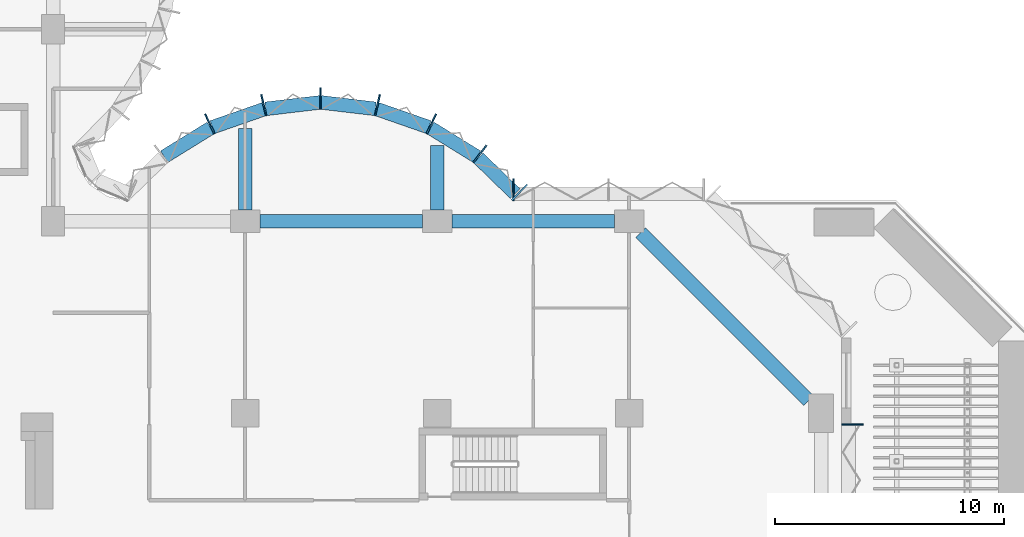
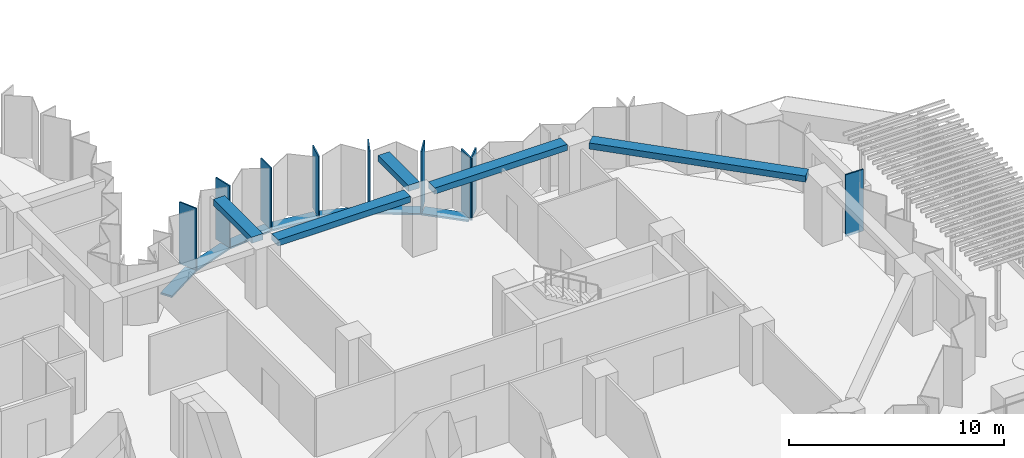
# One storey, part 3 of 18: 16 members, 5 beams, 3 elements without a shape of their own.
"""IFC4 building model written with IfcOpenShell, lengths in metres."""

from ifc_helpers import new_model, si_unit, direction, frame, origin, origin_2d, place, context, subcontext, project, spatial, rectangle, extrude, material, material_profile, profile_set, type_object, element, aggregate, save


model = new_model("IFC4")

# Units and contexts
model_context = context("Model", 3, precision=1e-05, world=origin(), true_north=direction((0.0, 1.0)))
body_context = subcontext(model_context, "Body", "Model", "MODEL_VIEW")
ifc_project = project(units=[si_unit("LENGTHUNIT", "METRE"), si_unit("AREAUNIT", "SQUARE_METRE"), si_unit("VOLUMEUNIT", "CUBIC_METRE"), si_unit("PLANEANGLEUNIT", "RADIAN"), si_unit("MASSUNIT", "GRAM", prefix="KILO")], contexts=[model_context])

# Site, building, storey
site_placement = place(None, origin())
site = spatial("IfcSite", under=ifc_project, at=site_placement, CompositionType="ELEMENT")
building_placement = place(site_placement, origin())
building = spatial("IfcBuilding", under=site, at=building_placement, Name="Brevane Broadcast Tower", CompositionType="ELEMENT")
storey_placement = place(building_placement, frame((0.0, 0.0, 134.89990234375)))
storey = spatial("IfcBuildingStorey", under=building, at=storey_placement, Name="L33", CompositionType="ELEMENT", Elevation=134.89990234375)

# Curtain wall, member
ifc_material_1 = material(Name="Aluminium 6063-T6 bronze anodised", Category="aluminium")
curtain_wall_type = type_object("IfcCurtainWallType", Name="CW-1 curtain wall", PredefinedType="NOTDEFINED", material=ifc_material_1)
curtain_wall_1_placement = place(storey_placement, origin())
curtain_wall_1 = element("IfcCurtainWall", 1, at=curtain_wall_1_placement, inside=storey, type_object=curtain_wall_type, Name="CW-1 typical tilted unit L33 east end", PredefinedType="NOTDEFINED")
ifc_material_profile_1 = material_profile(ifc_material_1, rectangle(XDim=0.949951171875, YDim=0.070068359375, at=origin_2d()), Name="RECT 70x950")
ifc_profile_set_1 = profile_set([ifc_material_profile_1], Name="Aluminium 6063-T6 bronze anodised")
member_type_1 = type_object("IfcMemberType", Name="CW-1 mullion 70x950", PredefinedType="MULLION", material=ifc_profile_set_1)
member_1_placement = place(storey_placement, frame((60.175048828125, 16.31494140625, -0.14990234375), z_axis=(0.0, 0.0, 1.0), x_axis=(-1.0, 0.0, 0.0)))
member_1 = element("IfcMember", 2, at=member_1_placement, type_object=member_type_1, Name="CW-1 mullion", PredefinedType="MULLION", context=body_context, shape_type="SweptSolid", body=[
    extrude(rectangle(XDim=0.949951171875, YDim=0.070068359375, at=origin_2d()), origin(), (0.0, 0.0, 1.0), 3.5),
])
aggregate(curtain_wall_1, [member_1])

curtain_wall_2_placement = place(storey_placement, origin())
curtain_wall_2 = element("IfcCurtainWall", 3, at=curtain_wall_2_placement, inside=storey, type_object=curtain_wall_type, Name="CW-1 typical tilted unit L33 east arm north face", PredefinedType="NOTDEFINED")
member_2_placement = place(storey_placement, frame((45.3349609375, 26.574951171875, -0.14990234375), z_axis=(0.0, 0.0, 1.0), x_axis=(0.0, -1.0, 0.0)))
member_2 = element("IfcMember", 4, at=member_2_placement, type_object=member_type_1, Name="CW-1 mullion", PredefinedType="MULLION", context=body_context, shape_type="SweptSolid", body=[
    extrude(rectangle(XDim=0.949951171875, YDim=0.070068359375, at=origin_2d()), origin(), (0.0, 0.0, 1.0), 3.5),
])
aggregate(curtain_wall_2, [member_2])

# Curtain wall, members
curtain_wall_3_placement = place(storey_placement, origin())
curtain_wall_3 = element("IfcCurtainWall", 5, at=curtain_wall_3_placement, inside=storey, type_object=curtain_wall_type, Name="CW-1 typical tilted unit L33 east bow", PredefinedType="NOTDEFINED")
member_3_placement = place(storey_placement, frame((45.60595703125, 26.465087890625, -0.14990234375), z_axis=(0.0, 0.0, 1.0), x_axis=(-0.696811941702, -0.717253872699, 0.0)))
member_3 = element("IfcMember", 6, at=member_3_placement, type_object=member_type_1, Name="CW-1 mullion", PredefinedType="MULLION", context=body_context, shape_type="SweptSolid", body=[
    extrude(rectangle(XDim=0.949951171875, YDim=0.070068359375, at=origin_2d()), origin(), (0.0, 0.0, 1.0), 3.5),
])
member_4_placement = place(storey_placement, frame((43.8720703125, 28.1455078125, -0.14990234375), z_axis=(0.0, 0.0, 1.0), x_axis=(-0.614769738617, -0.788706642853, 0.0)))
member_4 = element("IfcMember", 7, at=member_4_placement, type_object=member_type_1, Name="CW-1 mullion", PredefinedType="MULLION", context=body_context, shape_type="SweptSolid", body=[
    extrude(rectangle(XDim=0.949951171875, YDim=0.070068359375, at=origin_2d()), origin(), (0.0, 0.0, 1.0), 3.5),
])
member_5_placement = place(storey_placement, frame((41.746826171875, 29.4580078125, -0.14990234375), z_axis=(0.0, 0.0, 1.0), x_axis=(-0.429933601163, -0.902860508933, 0.0)))
member_5 = element("IfcMember", 8, at=member_5_placement, type_object=member_type_1, Name="CW-1 mullion", PredefinedType="MULLION", context=body_context, shape_type="SweptSolid", body=[
    extrude(rectangle(XDim=0.949951171875, YDim=0.070068359375, at=origin_2d()), origin(), (0.0, 0.0, 1.0), 3.5),
])
member_6_placement = place(storey_placement, frame((39.38818359375, 30.28076171875, -0.14990234375), z_axis=(0.0, 0.0, 1.0), x_axis=(-0.224806482215, -0.974403430594, 0.0)))
member_6 = element("IfcMember", 9, at=member_6_placement, type_object=member_type_1, Name="CW-1 mullion", PredefinedType="MULLION", context=body_context, shape_type="SweptSolid", body=[
    extrude(rectangle(XDim=0.949951171875, YDim=0.070068359375, at=origin_2d()), origin(), (0.0, 0.0, 1.0), 3.5),
])
member_7_placement = place(storey_placement, frame((36.89990234375, 30.574951171875, -0.14990234375), z_axis=(0.0, 0.0, 1.0), x_axis=(0.0, -1.0, 0.0)))
member_7 = element("IfcMember", 10, at=member_7_placement, type_object=member_type_1, Name="CW-1 mullion", PredefinedType="MULLION", context=body_context, shape_type="SweptSolid", body=[
    extrude(rectangle(XDim=0.949951171875, YDim=0.070068359375, at=origin_2d()), origin(), (0.0, 0.0, 1.0), 3.5),
])
member_8_placement = place(storey_placement, frame((34.411865234375, 30.28076171875, -0.14990234375), z_axis=(0.0, 0.0, 1.0), x_axis=(0.224806482215, -0.974403430594, 0.0)))
member_8 = element("IfcMember", 11, at=member_8_placement, type_object=member_type_1, Name="CW-1 mullion", PredefinedType="MULLION", context=body_context, shape_type="SweptSolid", body=[
    extrude(rectangle(XDim=0.949951171875, YDim=0.070068359375, at=origin_2d()), origin(), (0.0, 0.0, 1.0), 3.5),
])
member_9_placement = place(storey_placement, frame((32.05322265625, 29.4580078125, -0.14990234375), z_axis=(0.0, 0.0, 1.0), x_axis=(0.429933601163, -0.902860508933, 0.0)))
member_9 = element("IfcMember", 12, at=member_9_placement, type_object=member_type_1, Name="CW-1 mullion", PredefinedType="MULLION", context=body_context, shape_type="SweptSolid", body=[
    extrude(rectangle(XDim=0.949951171875, YDim=0.070068359375, at=origin_2d()), origin(), (0.0, 0.0, 1.0), 3.5),
])
ifc_material_profile_2 = material_profile(ifc_material_1, rectangle(XDim=0.60009765625, YDim=0.10009765625, at=origin_2d()), Name="RECT 100x600")
ifc_profile_set_2 = profile_set([ifc_material_profile_2], Name="Aluminium 6063-T6 bronze anodised")
member_type_2 = type_object("IfcMemberType", Name="CW-1 transom 100x600", PredefinedType="USERDEFINED", material=ifc_profile_set_2)
member_10_placement = place(storey_placement, frame((45.412841796875, 26.407958984375, -0.199951171875), z_axis=(-0.71724215871, 0.696823999134, 0.0), x_axis=(-0.696823999134, -0.71724215871, 0.0)))
member_10 = element("IfcMember", 13, at=member_10_placement, type_object=member_type_2, Name="CW-1 transom", ObjectType="TRANSOM", PredefinedType="USERDEFINED", context=body_context, shape_type="SweptSolid", body=[
    extrude(rectangle(XDim=0.60009765625, YDim=0.10009765625, at=origin_2d()), origin(), (0.0, 0.0, 1.0), 2.247802734375),
])
member_11_placement = place(storey_placement, frame((43.7421875, 28.023193359375, -0.199951171875), z_axis=(-0.850810063131, 0.525473345162, 0.0), x_axis=(-0.525473345162, -0.850810063131, 0.0)))
member_11 = element("IfcMember", 14, at=member_11_placement, type_object=member_type_2, Name="CW-1 transom", ObjectType="TRANSOM", PredefinedType="USERDEFINED", context=body_context, shape_type="SweptSolid", body=[
    extrude(rectangle(XDim=0.60009765625, YDim=0.10009765625, at=origin_2d()), origin(), (0.0, 0.0, 1.0), 2.39453125),
])
member_12_placement = place(storey_placement, frame((41.63623046875, 29.314208984375, -0.199951171875), z_axis=(-0.944197969542, 0.329378497041, 0.0), x_axis=(-0.329378497041, -0.944197969542, 0.0)))
member_12 = element("IfcMember", 15, at=member_12_placement, type_object=member_type_2, Name="CW-1 transom", ObjectType="TRANSOM", PredefinedType="USERDEFINED", context=body_context, shape_type="SweptSolid", body=[
    extrude(rectangle(XDim=0.60009765625, YDim=0.10009765625, at=origin_2d()), origin(), (0.0, 0.0, 1.0), 2.394775390625),
])
member_13_placement = place(storey_placement, frame((39.30029296875, 30.117431640625, -0.199951171875), z_axis=(-0.993062061831, 0.117591417, 0.0), x_axis=(-0.117591417, -0.993062061831, 0.0)))
member_13 = element("IfcMember", 16, at=member_13_placement, type_object=member_type_2, Name="CW-1 transom", ObjectType="TRANSOM", PredefinedType="USERDEFINED", context=body_context, shape_type="SweptSolid", body=[
    extrude(rectangle(XDim=0.60009765625, YDim=0.10009765625, at=origin_2d()), origin(), (0.0, 0.0, 1.0), 2.39794921875),
])
member_14_placement = place(storey_placement, frame((36.880859375, 30.3994140625, -0.199951171875), z_axis=(-0.993060653805, -0.117603307202, 0.0), x_axis=(0.117603307202, -0.993060653805, 0.0)))
member_14 = element("IfcMember", 17, at=member_14_placement, type_object=member_type_2, Name="CW-1 transom", ObjectType="TRANSOM", PredefinedType="USERDEFINED", context=body_context, shape_type="SweptSolid", body=[
    extrude(rectangle(XDim=0.60009765625, YDim=0.10009765625, at=origin_2d()), origin(), (0.0, 0.0, 1.0), 2.397705078125),
])
member_15_placement = place(storey_placement, frame((34.425048828125, 30.10302734375, -0.199951171875), z_axis=(-0.944197969542, -0.329378497041, 0.0), x_axis=(0.329378497041, -0.944197969542, 0.0)))
member_15 = element("IfcMember", 18, at=member_15_placement, type_object=member_type_2, Name="CW-1 transom", ObjectType="TRANSOM", PredefinedType="USERDEFINED", context=body_context, shape_type="SweptSolid", body=[
    extrude(rectangle(XDim=0.60009765625, YDim=0.10009765625, at=origin_2d()), origin(), (0.0, 0.0, 1.0), 2.394775390625),
])
member_16_placement = place(storey_placement, frame((32.09521484375, 29.281494140625, -0.199951171875), z_axis=(-0.850838211365, -0.525427766759, 0.0), x_axis=(0.525427766759, -0.850838211365, 0.0)))
member_16 = element("IfcMember", 19, at=member_16_placement, type_object=member_type_2, Name="CW-1 transom", ObjectType="TRANSOM", PredefinedType="USERDEFINED", context=body_context, shape_type="SweptSolid", body=[
    extrude(rectangle(XDim=0.60009765625, YDim=0.10009765625, at=origin_2d()), origin(), (0.0, 0.0, 1.0), 2.394775390625),
])
aggregate(curtain_wall_3, [member_3, member_4, member_5, member_6, member_7, member_8, member_9, member_10, member_11, member_12, member_13, member_14, member_15, member_16])

# Beams
ifc_material_2 = material(Name="Concrete C40/50", Category="concrete")
ifc_material_profile_3 = material_profile(ifc_material_2, rectangle(XDim=0.60009765625, YDim=0.35009765625, at=origin_2d()), Name="RC 600x350")
ifc_profile_set_3 = profile_set([ifc_material_profile_3], Name="Concrete C40/50")
beam_type_1 = type_object("IfcBeamType", Name="RC BRACKET BEAM 600x350 C40/50", PredefinedType="BEAM", material=ifc_profile_set_3)
beam_1_placement = place(storey_placement, frame((33.60009765625, 25.699951171875, 3.175048828125), z_axis=(0.0, 1.0, 0.0), x_axis=(-1.0, 0.0, 0.0)))
element("IfcBeam", 20, at=beam_1_placement, inside=storey, type_object=beam_type_1, Name="EB2 L33-3", PredefinedType="BEAM", context=body_context, shape_type="SweptSolid", body=[
    extrude(rectangle(XDim=0.60009765625, YDim=0.35009765625, at=origin_2d()), origin(), (0.0, 0.0, 1.0), 3.56201171875),
])
beam_2_placement = place(storey_placement, frame((42.0, 25.699951171875, 3.175048828125), z_axis=(0.0, 1.0, 0.0), x_axis=(-1.0, 0.0, 0.0)))
element("IfcBeam", 21, at=beam_2_placement, inside=storey, type_object=beam_type_1, Name="EB2 L33-4", PredefinedType="BEAM", context=body_context, shape_type="SweptSolid", body=[
    extrude(rectangle(XDim=0.60009765625, YDim=0.35009765625, at=origin_2d()), origin(), (0.0, 0.0, 1.0), 2.8115234375),
])
ifc_material_profile_4 = material_profile(ifc_material_2, rectangle(XDim=0.60009765625, YDim=0.35009765625, at=origin_2d()), Name="RC 600x350")
ifc_profile_set_4 = profile_set([ifc_material_profile_4], Name="Concrete C40/50")
beam_type_2 = type_object("IfcBeamType", Name="RC SPANDREL BEAM 600x350 C40/50", PredefinedType="SPANDREL", material=ifc_profile_set_4)
beam_3_placement = place(storey_placement, frame((58.25, 17.35009765625, 3.175048828125), z_axis=(-0.707118524903, 0.707095037275, 0.0), x_axis=(-0.707095037275, -0.707118524903, 0.0)))
element("IfcBeam", 22, at=beam_3_placement, inside=storey, type_object=beam_type_2, Name="EB1 L33-6", PredefinedType="SPANDREL", context=body_context, shape_type="SweptSolid", body=[
    extrude(rectangle(XDim=0.60009765625, YDim=0.35009765625, at=origin_2d()), origin(), (0.0, 0.0, 1.0), 10.39453125),
])
for number, where, z_axis, x_axis, name in (
    (23, (49.75, 25.199951171875, 3.175048828125), (-1.0, 0.0, 0.0), (0.0, -1.0, 0.0), "EB1 L33-7"),
    (24, (41.35009765625, 25.199951171875, 3.175048828125), (-1.0, 0.0, 0.0), (0.0, -1.0, 0.0), "EB1 L33-8"),
):
    element("IfcBeam", number, at=place(storey_placement, frame(where, z_axis=z_axis, x_axis=x_axis)), inside=storey, type_object=beam_type_2, Name=name, PredefinedType="SPANDREL", context=body_context, shape_type="SweptSolid", body=[
        extrude(rectangle(XDim=0.60009765625, YDim=0.35009765625, at=origin_2d()), origin(), (0.0, 0.0, 1.0), 7.10009765625),
    ])

save(model, "model.ifc")
